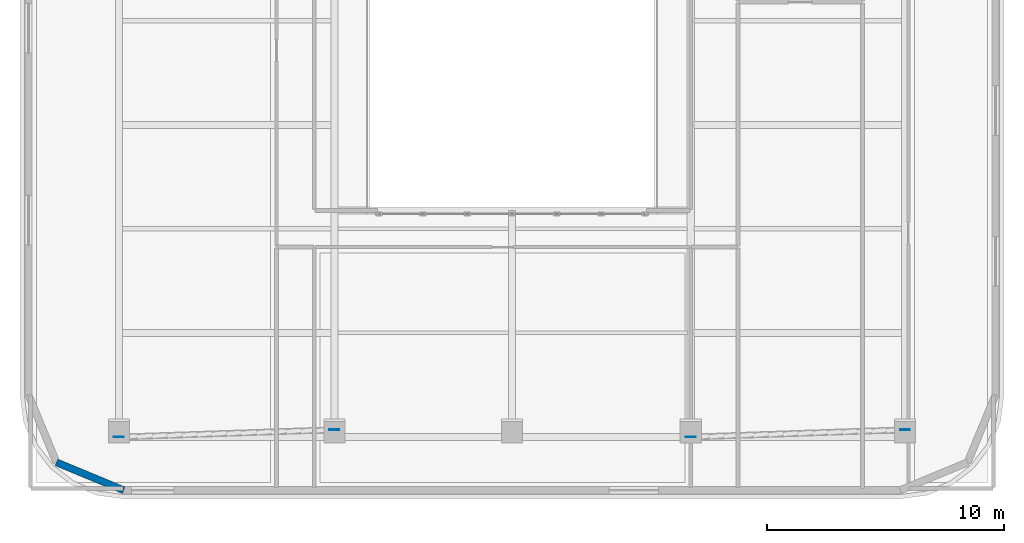
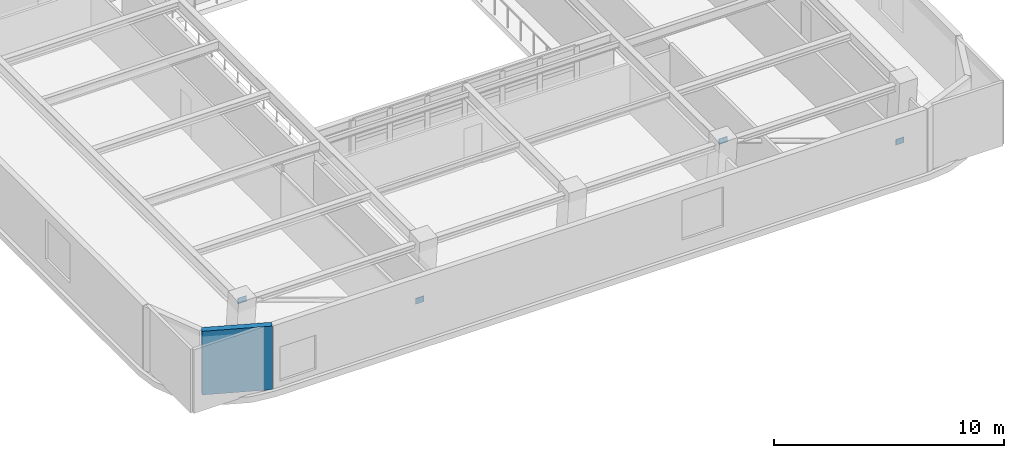
# One storey, part 5 of 11: 4 plates, 1 wall.
"""IFC4 building model written with IfcOpenShell, lengths in metres."""

from ifc_helpers import new_model, si_unit, direction, frame, frame_2d, origin, origin_2d, place, context, subcontext, project, spatial, rectangle, extrude, material, layer, layer_set, type_object, element, save


model = new_model("IFC4")

# Units and contexts
model_context = context("Model", 3, precision=1e-05, world=origin(), true_north=direction((0.0, 1.0)))
body_context = subcontext(model_context, "Body", "Model", "MODEL_VIEW")
ifc_project = project(units=[si_unit("LENGTHUNIT", "METRE"), si_unit("AREAUNIT", "SQUARE_METRE"), si_unit("VOLUMEUNIT", "CUBIC_METRE"), si_unit("PLANEANGLEUNIT", "RADIAN"), si_unit("MASSUNIT", "GRAM", prefix="KILO")], contexts=[model_context])

# Site, building, storey
site_placement = place(None, origin())
site = spatial("IfcSite", under=ifc_project, at=site_placement, CompositionType="ELEMENT")
building_placement = place(site_placement, origin())
building = spatial("IfcBuilding", under=site, at=building_placement, Name="Zarnavel Station Tower", CompositionType="ELEMENT")
storey_placement = place(building_placement, frame((0.0, 0.0, 276.89990234375)))
storey = spatial("IfcBuildingStorey", under=building, at=storey_placement, Name="L75", CompositionType="ELEMENT", Elevation=276.89990234375)

# Plates
ifc_material_1 = material(Name="Steel S460M", Category="steel")
ifc_layer_1 = layer(ifc_material_1, 0.02490234375)
ifc_layer_set_1 = layer_set([ifc_layer_1], Name="GP_GUSSET_25")
plate_type = type_object("IfcPlateType", Name="GP_GUSSET_25", PredefinedType="USERDEFINED", material=ifc_layer_set_1)
for number, where, z_axis, x_axis, name in (
    (1, (21.300048828125, 1.13525390625, -0.14990234375), (0.0, 0.0, 1.0), (1.0, 0.0, 0.0), "L75 Exterior Diagonal Brace End Gusset 1-1"),
    (2, (12.199951171875, 0.8291015625, 3.22998046875), (0.0, 0.0, 1.0), (1.0, 0.0, 0.0), "L75 Exterior Diagonal Brace End Gusset 1-2"),
    (3, (45.39990234375, 1.13525390625, -0.14990234375), (0.0, 0.0, 1.0), (1.0, 0.0, 0.0), "L75 Exterior Diagonal Brace End Gusset 2-1"),
    (4, (36.35009765625, 0.8291015625, 3.22998046875), (0.0, 0.0, 1.0), (1.0, 0.0, 0.0), "L75 Exterior Diagonal Brace End Gusset 2-2"),
):
    element("IfcPlate", number, at=place(storey_placement, frame(where, z_axis=z_axis, x_axis=x_axis)), inside=storey, type_object=plate_type, Name=name, ObjectType="GUSSET_PLATE", PredefinedType="USERDEFINED", context=body_context, shape_type="SweptSolid", body=[
        extrude(rectangle(XDim=0.419921875, YDim=0.02490234375, at=origin_2d()), origin(), (0.0, 0.0, 1.0), 0.300048828125),
    ])

# Wall
ifc_material_2 = material(Name="Precast concrete C45/55 (Dark Basalt Finish)", Category="masonry")
ifc_layer_2 = layer(ifc_material_2, 0.300048828125)
ifc_layer_set_2 = layer_set([ifc_layer_2], Name="EW_BASALT_300")
wall_type = type_object("IfcWallType", Name="EW_BASALT_300", PredefinedType="SOLIDWALL", material=ifc_layer_set_2)
wall_placement = place(storey_placement, frame((12.39990234375, -1.419921875, 0.0), z_axis=(0.0, 0.0, 1.0), x_axis=(-0.92389884758, 0.382636798336, 0.0)))
element("IfcWall", 5, at=wall_placement, inside=storey, type_object=wall_type, Name="L75 Exterior Basalt Masonry Frame Wall 11", PredefinedType="SOLIDWALL", context=body_context, shape_type="SweptSolid", body=[
    extrude(rectangle(XDim=3.07666015625, YDim=0.300048828125, at=frame_2d((1.538330078125, 0.0))), origin(), (0.0, 0.0, 1.0), 3.380126953125),
])

save(model, "model.ifc")
